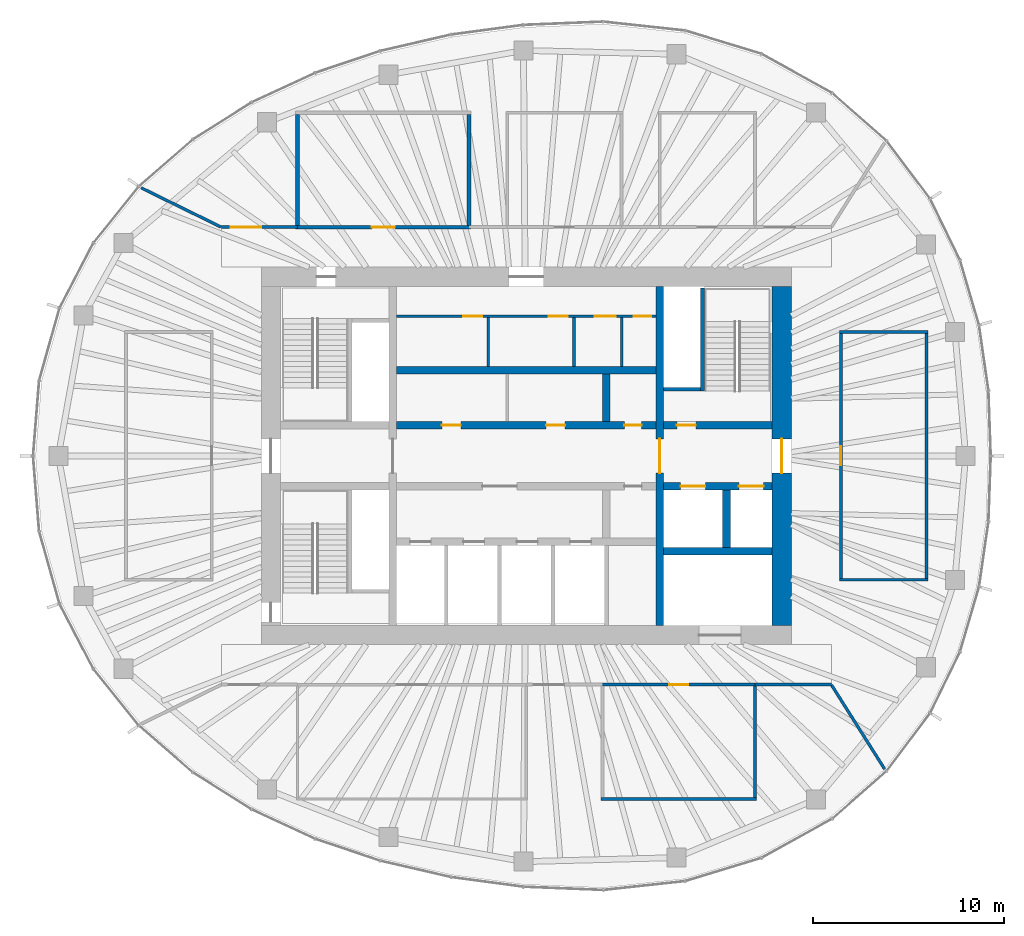
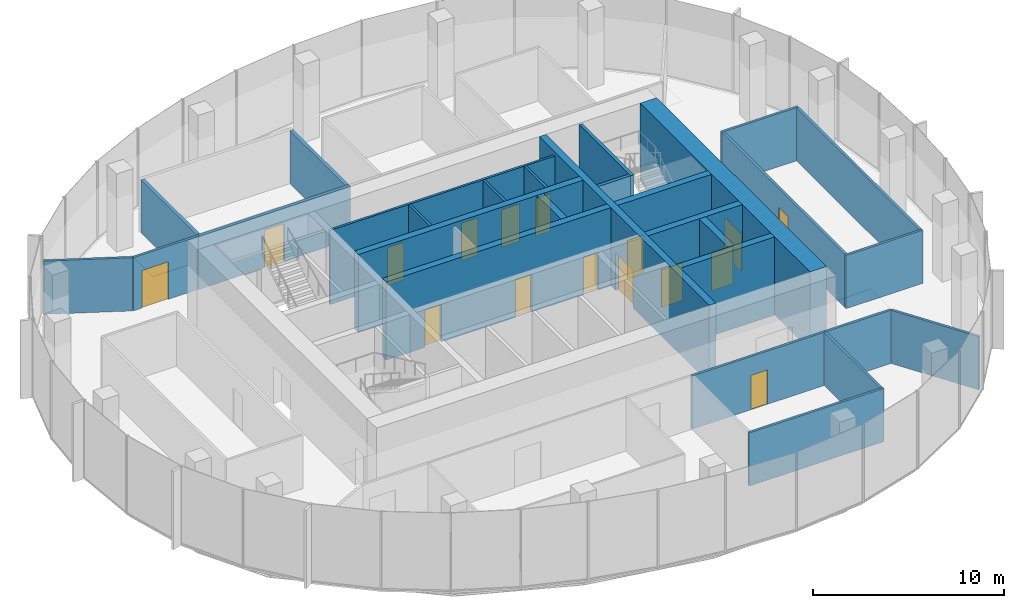
# One storey, part 9 of 11: 29 walls, 16 doors, 16 openings.
"""IFC4 building model written with IfcOpenShell, lengths in metres."""

from ifc_helpers import new_model, si_unit, direction, frame, frame_2d, origin, place, context, subcontext, project, spatial, rectangle, extrude, material, layer, layer_set, type_object, element, fill, save


model = new_model("IFC4")

# Units and contexts
model_context = context("Model", 3, precision=1e-05, world=origin(), true_north=direction((0.0, 1.0)))
body_context = subcontext(model_context, "Body", "Model", "MODEL_VIEW")
ifc_project = project(units=[si_unit("LENGTHUNIT", "METRE"), si_unit("AREAUNIT", "SQUARE_METRE"), si_unit("VOLUMEUNIT", "CUBIC_METRE"), si_unit("PLANEANGLEUNIT", "RADIAN"), si_unit("MASSUNIT", "GRAM", prefix="KILO")], contexts=[model_context])

# Site, building, storey
site_placement = place(None, origin())
site = spatial("IfcSite", under=ifc_project, at=site_placement, CompositionType="ELEMENT")
building_placement = place(site_placement, origin())
building = spatial("IfcBuilding", under=site, at=building_placement, Name="Ghaith Harvest Tower", CompositionType="ELEMENT")
storey_placement = place(building_placement, frame((0.0, 0.0, 334.199951171875)))
storey = spatial("IfcBuildingStorey", under=building, at=storey_placement, Name="L75", CompositionType="ELEMENT", Elevation=334.199951171875)

# Wall, opening, door
ifc_material_1 = material(Name="Twin-stud gypsum board, acoustic", Category="gypsum")
ifc_layer_1 = layer(ifc_material_1, 0.199951171875)
ifc_layer_set_1 = layer_set([ifc_layer_1], Name="ACOUSTIC PARTITION 200")
wall_type_1 = type_object("IfcWallType", Name="ACOUSTIC PARTITION 200", PredefinedType="PARTITIONING", material=ifc_layer_set_1)
wall_1_placement = place(storey_placement, frame((-12.10009765625, 12.0, 0.0), z_axis=(0.0, 0.0, 1.0), x_axis=(1.0, 0.0, 0.0)))
wall_1 = element("IfcWall", 1, at=wall_1_placement, inside=storey, type_object=wall_type_1, Name="Partition L75-01", PredefinedType="PARTITIONING", context=body_context, shape_type="SweptSolid", body=[
    extrude(rectangle(XDim=9.2001953125, YDim=0.199951171875, at=frame_2d((4.60009765625, 0.0))), origin(), (0.0, 0.0, 1.0), 3.400146484375),
])
opening_1_placement = place(wall_1_placement, frame((4.0, 0.0, 0.0)))
opening_1 = element("IfcOpeningElement", 2, at=opening_1_placement, cuts=wall_1, Name="Opening 75-025", PredefinedType="OPENING", context=body_context, shape_type="SweptSolid", body=[
    extrude(rectangle(XDim=1.199951171875, YDim=2.39990234375, at=frame_2d((0.60009765625, 1.199951171875))), frame((0.0, 0.10986328125, 0.0), z_axis=(0.0, -1.0, 0.0), x_axis=(1.0, 0.0, 0.0)), (0.0, 0.0, 1.0), 0.219970703125),
])
ifc_material_2 = material(Name="Timber door", Category="wood")
door_type_1 = type_object("IfcDoorType", Name="D11 GLAZED 1200x2400", OperationType="SINGLE_SWING_LEFT", PredefinedType="DOOR", material=ifc_material_2)
door_1_placement = place(opening_1_placement, origin())
door_1 = element("IfcDoor", 3, at=door_1_placement, inside=storey, type_object=door_type_1, Name="Private dining room door", OperationType="SINGLE_SWING_LEFT", OverallHeight=2.39990234375, OverallWidth=1.199951171875, PredefinedType="DOOR", context=body_context, shape_type="SweptSolid", body=[
    extrude(rectangle(XDim=1.199951171875, YDim=2.39990234375, at=frame_2d((0.60009765625, 1.199951171875))), frame((0.0, 0.02490234375, 0.0), z_axis=(0.0, -1.0, 0.0), x_axis=(1.0, 0.0, 0.0)), (0.0, 0.0, 1.0), 0.050048828125),
])
fill(opening_1, door_1)

# Walls
for number, where, z_axis, x_axis, name in (
    (4, (-12.0, 12.10009765625, 0.0), (0.0, 0.0, 1.0), (0.0, 1.0, 0.0), "Partition L75-01"),
    (5, (-3.0, 12.10009765625, 0.0), (0.0, 0.0, 1.0), (0.0, 1.0, 0.0), "Partition L75-01"),
):
    element("IfcWall", number, at=place(storey_placement, frame(where, z_axis=z_axis, x_axis=x_axis)), inside=storey, type_object=wall_type_1, Name=name, PredefinedType="PARTITIONING", context=body_context, shape_type="SweptSolid", body=[
        extrude(rectangle(XDim=5.7998046875, YDim=0.199951171875, at=frame_2d((2.89990234375, 0.0))), origin(), (0.0, 0.0, 1.0), 3.400146484375),
    ])

# Wall, openings, doors
ifc_material_3 = material(Name="Concrete blockwork, fair-faced", Category="masonry")
ifc_layer_2 = layer(ifc_material_3, 0.139892578125)
ifc_layer_set_2 = layer_set([ifc_layer_2], Name="CORE PARTITION 140")
wall_type_2 = type_object("IfcWallType", Name="CORE PARTITION 140", PredefinedType="PARTITIONING", material=ifc_layer_set_2)
wall_2_placement = place(storey_placement, frame((-6.800048828125, 7.330078125, 0.0), z_axis=(0.0, 0.0, 1.0), x_axis=(1.0, 0.0, 0.0)))
wall_2 = element("IfcWall", 6, at=wall_2_placement, inside=storey, type_object=wall_type_2, Name="Core partition L75", PredefinedType="PARTITIONING", context=body_context, shape_type="SweptSolid", body=[
    extrude(rectangle(XDim=13.60009765625, YDim=0.139892578125, at=frame_2d((6.800048828125, 0.0))), origin(), (0.0, 0.0, 1.0), 4.75),
])
opening_2_placement = place(wall_2_placement, frame((3.47998046875, 0.0, 0.0)))
opening_2 = element("IfcOpeningElement", 7, at=opening_2_placement, cuts=wall_2, Name="Opening 75-008", PredefinedType="OPENING", context=body_context, shape_type="SweptSolid", body=[
    extrude(rectangle(XDim=1.0, YDim=2.39990234375, at=frame_2d((0.5, 1.199951171875))), frame((0.0, 0.080078125, 0.0), z_axis=(0.0, -1.0, 0.0), x_axis=(1.0, 0.0, 0.0)), (0.0, 0.0, 1.0), 0.159912109375),
])
opening_3_placement = place(wall_2_placement, frame((7.97998046875, 0.0, 0.0)))
opening_3 = element("IfcOpeningElement", 8, at=opening_3_placement, cuts=wall_2, Name="Opening 75-009", PredefinedType="OPENING", context=body_context, shape_type="SweptSolid", body=[
    extrude(rectangle(XDim=1.0, YDim=2.39990234375, at=frame_2d((0.5, 1.199951171875))), frame((0.0, 0.080078125, 0.0), z_axis=(0.0, -1.0, 0.0), x_axis=(1.0, 0.0, 0.0)), (0.0, 0.0, 1.0), 0.159912109375),
])
opening_4_placement = place(wall_2_placement, frame((10.3798828125, 0.0, 0.0)))
opening_4 = element("IfcOpeningElement", 9, at=opening_4_placement, cuts=wall_2, Name="Opening 75-010", PredefinedType="OPENING", context=body_context, shape_type="SweptSolid", body=[
    extrude(rectangle(XDim=1.10009765625, YDim=2.39990234375, at=frame_2d((0.550048828125, 1.199951171875))), frame((0.0, 0.080078125, 0.0), z_axis=(0.0, -1.0, 0.0), x_axis=(1.0, 0.0, 0.0)), (0.0, 0.0, 1.0), 0.159912109375),
])
opening_5_placement = place(wall_2_placement, frame((12.449951171875, 0.0, 0.0)))
opening_5 = element("IfcOpeningElement", 10, at=opening_5_placement, cuts=wall_2, Name="Opening 75-011", PredefinedType="OPENING", context=body_context, shape_type="SweptSolid", body=[
    extrude(rectangle(XDim=0.89990234375, YDim=2.39990234375, at=frame_2d((0.449951171875, 1.199951171875))), frame((0.0, 0.080078125, 0.0), z_axis=(0.0, -1.0, 0.0), x_axis=(1.0, 0.0, 0.0)), (0.0, 0.0, 1.0), 0.159912109375),
])
ifc_material_4 = material(Name="Steel fire door", Category="steel")
door_type_2 = type_object("IfcDoorType", Name="D3 FD90 1000x2400", OperationType="SINGLE_SWING_LEFT", PredefinedType="DOOR", material=ifc_material_4)
door_2_placement = place(opening_2_placement, origin())
door_2 = element("IfcDoor", 11, at=door_2_placement, inside=storey, type_object=door_type_2, Name="Male WC door", OperationType="SINGLE_SWING_LEFT", OverallHeight=2.39990234375, OverallWidth=1.0, PredefinedType="DOOR", context=body_context, shape_type="SweptSolid", body=[
    extrude(rectangle(XDim=1.0, YDim=2.39990234375, at=frame_2d((0.5, 1.199951171875))), frame((0.0, 0.02490234375, 0.0), z_axis=(0.0, -1.0, 0.0), x_axis=(1.0, 0.0, 0.0)), (0.0, 0.0, 1.0), 0.050048828125),
])
fill(opening_2, door_2)
door_3_placement = place(opening_3_placement, origin())
door_3 = element("IfcDoor", 12, at=door_3_placement, inside=storey, type_object=door_type_2, Name="Female WC door", OperationType="SINGLE_SWING_RIGHT", OverallHeight=2.39990234375, OverallWidth=1.0, PredefinedType="DOOR", context=body_context, shape_type="SweptSolid", body=[
    extrude(rectangle(XDim=1.0, YDim=2.39990234375, at=frame_2d((0.5, 1.199951171875))), frame((0.0, 0.02490234375, 0.0), z_axis=(0.0, -1.0, 0.0), x_axis=(1.0, 0.0, 0.0)), (0.0, 0.0, 1.0), 0.050048828125),
])
fill(opening_3, door_3)
ifc_material_5 = material(Name="Steel fire door", Category="steel")
door_type_3 = type_object("IfcDoorType", Name="D5 FD90 900x2400", OperationType="SINGLE_SWING_LEFT", PredefinedType="DOOR", material=ifc_material_5)
door_4_placement = place(opening_5_placement, origin())
door_4 = element("IfcDoor", 13, at=door_4_placement, inside=storey, type_object=door_type_3, Name="Cleaner's store door", OperationType="SINGLE_SWING_RIGHT", OverallHeight=2.39990234375, OverallWidth=0.89990234375, PredefinedType="DOOR", context=body_context, shape_type="SweptSolid", body=[
    extrude(rectangle(XDim=0.89990234375, YDim=2.39990234375, at=frame_2d((0.449951171875, 1.199951171875))), frame((0.0, 0.02490234375, 0.0), z_axis=(0.0, -1.0, 0.0), x_axis=(1.0, 0.0, 0.0)), (0.0, 0.0, 1.0), 0.050048828125),
])
fill(opening_5, door_4)
ifc_material_6 = material(Name="Steel fire door", Category="steel")
door_type_4 = type_object("IfcDoorType", Name="D9 FD90 1100x2400", OperationType="SINGLE_SWING_LEFT", PredefinedType="DOOR", material=ifc_material_6)
door_5_placement = place(opening_4_placement, origin())
door_5 = element("IfcDoor", 14, at=door_5_placement, inside=storey, type_object=door_type_4, Name="Accessible WC door", OperationType="SINGLE_SWING_RIGHT", OverallHeight=2.39990234375, OverallWidth=1.10009765625, PredefinedType="DOOR", context=body_context, shape_type="SweptSolid", body=[
    extrude(rectangle(XDim=1.10009765625, YDim=2.39990234375, at=frame_2d((0.550048828125, 1.199951171875))), frame((0.0, 0.02490234375, 0.0), z_axis=(0.0, -1.0, 0.0), x_axis=(1.0, 0.0, 0.0)), (0.0, 0.0, 1.0), 0.050048828125),
])
fill(opening_4, door_5)

# Walls
for number, where, z_axis, x_axis, name in (
    (15, (-2.0, 4.699951171875, 0.0), (0.0, 0.0, 1.0), (0.0, 1.0, 0.0), "Core partition L75"),
    (16, (2.5, 4.699951171875, 0.0), (0.0, 0.0, 1.0), (0.0, 1.0, 0.0), "Core partition L75"),
    (17, (5.0, 4.699951171875, 0.0), (0.0, 0.0, 1.0), (0.0, 1.0, 0.0), "Core partition L75"),
):
    element("IfcWall", number, at=place(storey_placement, frame(where, z_axis=z_axis, x_axis=x_axis)), inside=storey, type_object=wall_type_2, Name=name, PredefinedType="PARTITIONING", context=body_context, shape_type="SweptSolid", body=[
        extrude(rectangle(XDim=2.56005859375, YDim=0.139892578125, at=frame_2d((1.280029296875, 0.0))), origin(), (0.0, 0.0, 1.0), 4.75),
    ])

# Wall, opening, door
ifc_material_7 = material(Name="Concrete C50/60", Category="concrete")
ifc_layer_3 = layer(ifc_material_7, 1.0)
ifc_layer_set_3 = layer_set([ifc_layer_3], Name="CORE WALL CW1000")
wall_type_3 = type_object("IfcWallType", Name="CORE WALL CW1000", PredefinedType="SHEAR", material=ifc_layer_set_3)
wall_3_placement = place(storey_placement, frame((13.39990234375, -8.89990234375, 0.0), z_axis=(0.0, 0.0, 1.0), x_axis=(0.0, 1.0, 0.0)))
wall_3 = element("IfcWall", 18, at=wall_3_placement, inside=storey, type_object=wall_type_3, Name="Core wall E L75", PredefinedType="SHEAR", context=body_context, shape_type="SweptSolid", body=[
    extrude(rectangle(XDim=17.7998046875, YDim=1.0, at=frame_2d((8.89990234375, 0.0))), origin(), (0.0, 0.0, 1.0), 5.0),
])
opening_6_placement = place(wall_3_placement, frame((8.0, 0.0, 0.0)))
opening_6 = element("IfcOpeningElement", 19, at=opening_6_placement, cuts=wall_3, Name="Opening 75-002", PredefinedType="OPENING", context=body_context, shape_type="SweptSolid", body=[
    extrude(rectangle(XDim=1.800048828125, YDim=2.39990234375, at=frame_2d((0.89990234375, 1.199951171875))), frame((0.0, 0.510009765625, 0.0), z_axis=(0.0, -1.0, 0.0), x_axis=(1.0, 0.0, 0.0)), (0.0, 0.0, 1.0), 1.02001953125),
])
ifc_material_8 = material(Name="Steel fire door", Category="steel")
door_type_5 = type_object("IfcDoorType", Name="D4 FD90 PAIR 1800x2400", OperationType="DOUBLE_DOOR_SINGLE_SWING", PredefinedType="DOOR", material=ifc_material_8)
door_6_placement = place(opening_6_placement, origin())
door_6 = element("IfcDoor", 20, at=door_6_placement, inside=storey, type_object=door_type_5, Name="Fire-fighting lobby doors", OperationType="DOUBLE_DOOR_SINGLE_SWING", OverallHeight=2.39990234375, OverallWidth=1.800048828125, PredefinedType="DOOR", context=body_context, shape_type="SweptSolid", body=[
    extrude(rectangle(XDim=1.800048828125, YDim=2.39990234375, at=frame_2d((0.89990234375, 1.199951171875))), frame((0.0, 0.02490234375, 0.0), z_axis=(0.0, -1.0, 0.0), x_axis=(1.0, 0.0, 0.0)), (0.0, 0.0, 1.0), 0.050048828125),
])
fill(opening_6, door_6)

# Walls
ifc_material_9 = material(Name="Gypsum board on steel studs", Category="steel")
ifc_layer_4 = layer(ifc_material_9, 0.14990234375)
ifc_layer_set_4 = layer_set([ifc_layer_4], Name="PARTITION 150")
wall_type_4 = type_object("IfcWallType", Name="PARTITION 150", PredefinedType="PARTITIONING", material=ifc_layer_set_4)
wall_4_placement = place(storey_placement, frame((-16.017822265625, 12.0087890625, 0.0), z_axis=(0.0, 0.0, 1.0), x_axis=(-0.897771840996, 0.440460805879, 0.0)))
element("IfcWall", 21, at=wall_4_placement, inside=storey, type_object=wall_type_4, Name="Partition L75 zone division", PredefinedType="PARTITIONING", context=body_context, shape_type="SweptSolid", body=[
    extrude(rectangle(XDim=4.66552734375, YDim=0.14990234375, at=frame_2d((2.332763671875, 0.0))), origin(), (0.0, 0.0, 1.0), 3.400146484375),
])
wall_5_placement = place(storey_placement, frame((16.0107421875, -12.016845703125, 0.0), z_axis=(0.0, 0.0, 1.0), x_axis=(0.53415837449, -0.845384427916, 0.0)))
element("IfcWall", 22, at=wall_5_placement, inside=storey, type_object=wall_type_4, Name="Partition L75 zone division", PredefinedType="PARTITIONING", context=body_context, shape_type="SweptSolid", body=[
    extrude(rectangle(XDim=5.220458984375, YDim=0.14990234375, at=frame_2d((2.6103515625, 0.0))), origin(), (0.0, 0.0, 1.0), 3.400146484375),
])

# Wall, opening, door
wall_6_placement = place(storey_placement, frame((-12.0, 12.0, 0.0), z_axis=(0.0, 0.0, 1.0), x_axis=(-1.0, 0.0, 0.0)))
wall_6 = element("IfcWall", 23, at=wall_6_placement, inside=storey, type_object=wall_type_4, Name="Partition L75 zone enclosure", PredefinedType="PARTITIONING", context=body_context, shape_type="SweptSolid", body=[
    extrude(rectangle(XDim=4.0, YDim=0.14990234375, at=frame_2d((2.0, 0.0))), origin(), (0.0, 0.0, 1.0), 3.400146484375),
])
opening_7_placement = place(wall_6_placement, frame((1.89990234375, 0.0, 0.0)))
opening_7 = element("IfcOpeningElement", 24, at=opening_7_placement, cuts=wall_6, Name="Opening 75-033", PredefinedType="OPENING", context=body_context, shape_type="SweptSolid", body=[
    extrude(rectangle(XDim=1.60009765625, YDim=2.39990234375, at=frame_2d((0.800048828125, 1.199951171875))), frame((0.0, 0.0849609375, 0.0), z_axis=(0.0, -1.0, 0.0), x_axis=(1.0, 0.0, 0.0)), (0.0, 0.0, 1.0), 0.169921875),
])
ifc_material_10 = material(Name="Timber door", Category="wood")
door_type_6 = type_object("IfcDoorType", Name="D2 PAIR 1600x2400", OperationType="DOUBLE_DOOR_SINGLE_SWING", PredefinedType="DOOR", material=ifc_material_10)
door_7_placement = place(opening_7_placement, origin())
door_7 = element("IfcDoor", 25, at=door_7_placement, inside=storey, type_object=door_type_6, Name="Farm-to-table restaurant north door", OperationType="DOUBLE_DOOR_SINGLE_SWING", OverallHeight=2.39990234375, OverallWidth=1.60009765625, PredefinedType="DOOR", context=body_context, shape_type="SweptSolid", body=[
    extrude(rectangle(XDim=1.60009765625, YDim=2.39990234375, at=frame_2d((0.800048828125, 1.199951171875))), frame((0.0, 0.02490234375, 0.0), z_axis=(0.0, -1.0, 0.0), x_axis=(1.0, 0.0, 0.0)), (0.0, 0.0, 1.0), 0.050048828125),
])
fill(opening_7, door_7)

# Walls
wall_7_placement = place(storey_placement, frame((12.0, -12.0, 0.0), z_axis=(0.0, 0.0, 1.0), x_axis=(1.0, 0.0, 0.0)))
element("IfcWall", 26, at=wall_7_placement, inside=storey, type_object=wall_type_4, Name="Partition L75 zone enclosure", PredefinedType="PARTITIONING", context=body_context, shape_type="SweptSolid", body=[
    extrude(rectangle(XDim=4.0, YDim=0.14990234375, at=frame_2d((2.0, 0.0))), origin(), (0.0, 0.0, 1.0), 3.400146484375),
])
wall_8_placement = place(storey_placement, frame((3.925048828125, -18.0, 0.0), z_axis=(0.0, 0.0, 1.0), x_axis=(1.0, 0.0, 0.0)))
element("IfcWall", 27, at=wall_8_placement, inside=storey, type_object=wall_type_4, Name="Partition L75-05", PredefinedType="PARTITIONING", context=body_context, shape_type="SweptSolid", body=[
    extrude(rectangle(XDim=8.14990234375, YDim=0.14990234375, at=frame_2d((4.074951171875, 0.0))), origin(), (0.0, 0.0, 1.0), 3.400146484375),
])

# Wall, opening, door
wall_9_placement = place(storey_placement, frame((3.925048828125, -12.0, 0.0), z_axis=(0.0, 0.0, 1.0), x_axis=(1.0, 0.0, 0.0)))
wall_9 = element("IfcWall", 28, at=wall_9_placement, inside=storey, type_object=wall_type_4, Name="Partition L75-05", PredefinedType="PARTITIONING", context=body_context, shape_type="SweptSolid", body=[
    extrude(rectangle(XDim=8.14990234375, YDim=0.14990234375, at=frame_2d((4.074951171875, 0.0))), origin(), (0.0, 0.0, 1.0), 3.400146484375),
])
opening_8_placement = place(wall_9_placement, frame((3.574951171875, 0.0, 0.0)))
opening_8 = element("IfcOpeningElement", 29, at=opening_8_placement, cuts=wall_9, Name="Opening 75-029", PredefinedType="OPENING", context=body_context, shape_type="SweptSolid", body=[
    extrude(rectangle(XDim=1.0, YDim=2.199951171875, at=frame_2d((0.5, 1.10009765625))), frame((0.0, 0.0849609375, 0.0), z_axis=(0.0, -1.0, 0.0), x_axis=(1.0, 0.0, 0.0)), (0.0, 0.0, 1.0), 0.169921875),
])
ifc_material_11 = material(Name="Timber door", Category="wood")
door_type_7 = type_object("IfcDoorType", Name="D1 SINGLE 1000x2200", OperationType="SINGLE_SWING_LEFT", PredefinedType="DOOR", material=ifc_material_11)
door_8_placement = place(opening_8_placement, origin())
door_8 = element("IfcDoor", 30, at=door_8_placement, inside=storey, type_object=door_type_7, Name="Dry store door", OperationType="SINGLE_SWING_LEFT", OverallHeight=2.199951171875, OverallWidth=1.0, PredefinedType="DOOR", context=body_context, shape_type="SweptSolid", body=[
    extrude(rectangle(XDim=1.0, YDim=2.199951171875, at=frame_2d((0.5, 1.10009765625))), frame((0.0, 0.02490234375, 0.0), z_axis=(0.0, -1.0, 0.0), x_axis=(1.0, 0.0, 0.0)), (0.0, 0.0, 1.0), 0.050048828125),
])
fill(opening_8, door_8)

# Walls
wall_10_placement = place(storey_placement, frame((12.0, -17.925048828125, 0.0), z_axis=(0.0, 0.0, 1.0), x_axis=(0.0, 1.0, 0.0)))
element("IfcWall", 31, at=wall_10_placement, inside=storey, type_object=wall_type_4, Name="Partition L75-05", PredefinedType="PARTITIONING", context=body_context, shape_type="SweptSolid", body=[
    extrude(rectangle(XDim=5.85009765625, YDim=0.14990234375, at=frame_2d((2.925048828125, 0.0))), origin(), (0.0, 0.0, 1.0), 3.400146484375),
])
for number, where, z_axis, x_axis, name in (
    (32, (16.425048828125, -6.5, 0.0), (0.0, 0.0, 1.0), (1.0, 0.0, 0.0), "Partition L75-07"),
    (33, (16.425048828125, 6.5, 0.0), (0.0, 0.0, 1.0), (1.0, 0.0, 0.0), "Partition L75-07"),
):
    element("IfcWall", number, at=place(storey_placement, frame(where, z_axis=z_axis, x_axis=x_axis)), inside=storey, type_object=wall_type_4, Name=name, PredefinedType="PARTITIONING", context=body_context, shape_type="SweptSolid", body=[
        extrude(rectangle(XDim=4.64990234375, YDim=0.14990234375, at=frame_2d((2.324951171875, 0.0))), origin(), (0.0, 0.0, 1.0), 3.400146484375),
    ])

# Wall, opening, door
wall_11_placement = place(storey_placement, frame((16.5, -6.425048828125, 0.0), z_axis=(0.0, 0.0, 1.0), x_axis=(0.0, 1.0, 0.0)))
wall_11 = element("IfcWall", 34, at=wall_11_placement, inside=storey, type_object=wall_type_4, Name="Partition L75-07", PredefinedType="PARTITIONING", context=body_context, shape_type="SweptSolid", body=[
    extrude(rectangle(XDim=12.85009765625, YDim=0.14990234375, at=frame_2d((6.425048828125, 0.0))), origin(), (0.0, 0.0, 1.0), 3.400146484375),
])
opening_9_placement = place(wall_11_placement, frame((5.925048828125, 0.0, 0.0)))
opening_9 = element("IfcOpeningElement", 35, at=opening_9_placement, cuts=wall_11, Name="Opening 75-031", PredefinedType="OPENING", context=body_context, shape_type="SweptSolid", body=[
    extrude(rectangle(XDim=1.0, YDim=2.199951171875, at=frame_2d((0.5, 1.10009765625))), frame((0.0, 0.0849609375, 0.0), z_axis=(0.0, -1.0, 0.0), x_axis=(1.0, 0.0, 0.0)), (0.0, 0.0, 1.0), 0.169921875),
])
door_9_placement = place(opening_9_placement, origin())
door_9 = element("IfcDoor", 36, at=door_9_placement, inside=storey, type_object=door_type_7, Name="Kitchen store door", OperationType="SINGLE_SWING_LEFT", OverallHeight=2.199951171875, OverallWidth=1.0, PredefinedType="DOOR", context=body_context, shape_type="SweptSolid", body=[
    extrude(rectangle(XDim=1.0, YDim=2.199951171875, at=frame_2d((0.5, 1.10009765625))), frame((0.0, 0.02490234375, 0.0), z_axis=(0.0, -1.0, 0.0), x_axis=(1.0, 0.0, 0.0)), (0.0, 0.0, 1.0), 0.050048828125),
])
fill(opening_9, door_9)

# Wall
wall_12_placement = place(storey_placement, frame((21.0, -6.425048828125, 0.0), z_axis=(0.0, 0.0, 1.0), x_axis=(0.0, 1.0, 0.0)))
element("IfcWall", 37, at=wall_12_placement, inside=storey, type_object=wall_type_4, Name="Partition L75-07", PredefinedType="PARTITIONING", context=body_context, shape_type="SweptSolid", body=[
    extrude(rectangle(XDim=12.85009765625, YDim=0.14990234375, at=frame_2d((6.425048828125, 0.0))), origin(), (0.0, 0.0, 1.0), 3.400146484375),
])

# Wall, opening, door
ifc_material_12 = material(Name="Concrete C70/85", Category="concrete")
ifc_layer_5 = layer(ifc_material_12, 0.39990234375)
ifc_layer_set_5 = layer_set([ifc_layer_5], Name="SHAFT WALL 400")
wall_type_5 = type_object("IfcWallType", Name="SHAFT WALL 400", PredefinedType="SHEAR", material=ifc_layer_set_5)
wall_13_placement = place(storey_placement, frame((7.0, -8.89990234375, 0.0), z_axis=(0.0, 0.0, 1.0), x_axis=(0.0, 1.0, 0.0)))
wall_13 = element("IfcWall", 38, at=wall_13_placement, inside=storey, type_object=wall_type_5, Name="Shaft wall W7E L75", PredefinedType="SHEAR", context=body_context, shape_type="SweptSolid", body=[
    extrude(rectangle(XDim=17.7998046875, YDim=0.39990234375, at=frame_2d((8.89990234375, 0.0))), origin(), (0.0, 0.0, 1.0), 5.0),
])
opening_10_placement = place(wall_13_placement, frame((8.0, 0.0, 0.0)))
opening_10 = element("IfcOpeningElement", 39, at=opening_10_placement, cuts=wall_13, Name="Opening 75-004", PredefinedType="OPENING", context=body_context, shape_type="SweptSolid", body=[
    extrude(rectangle(XDim=1.800048828125, YDim=2.39990234375, at=frame_2d((0.89990234375, 1.199951171875))), frame((0.0, 0.2099609375, 0.0), z_axis=(0.0, -1.0, 0.0), x_axis=(1.0, 0.0, 0.0)), (0.0, 0.0, 1.0), 0.419921875),
])
door_10_placement = place(opening_10_placement, origin())
door_10 = element("IfcDoor", 40, at=door_10_placement, inside=storey, type_object=door_type_5, Name="Lift lobby doors, east", OperationType="DOUBLE_DOOR_SINGLE_SWING", OverallHeight=2.39990234375, OverallWidth=1.800048828125, PredefinedType="DOOR", context=body_context, shape_type="SweptSolid", body=[
    extrude(rectangle(XDim=1.800048828125, YDim=2.39990234375, at=frame_2d((0.89990234375, 1.199951171875))), frame((0.0, 0.02490234375, 0.0), z_axis=(0.0, -1.0, 0.0), x_axis=(1.0, 0.0, 0.0)), (0.0, 0.0, 1.0), 0.050048828125),
])
fill(opening_10, door_10)

# Wall, openings, doors
wall_14_placement = place(storey_placement, frame((-6.800048828125, 1.60009765625, 0.0), z_axis=(0.0, 0.0, 1.0), x_axis=(1.0, 0.0, 0.0)))
wall_14 = element("IfcWall", 41, at=wall_14_placement, inside=storey, type_object=wall_type_5, Name="Shaft wall LN L75", PredefinedType="SHEAR", context=body_context, shape_type="SweptSolid", body=[
    extrude(rectangle(XDim=13.60009765625, YDim=0.39990234375, at=frame_2d((6.800048828125, 0.0))), origin(), (0.0, 0.0, 1.0), 5.0),
])
opening_11_placement = place(wall_14_placement, frame((2.364990234375, 0.0, 0.0)))
opening_11 = element("IfcOpeningElement", 42, at=opening_11_placement, cuts=wall_14, Name="Opening 75-012", PredefinedType="OPENING", context=body_context, shape_type="SweptSolid", body=[
    extrude(rectangle(XDim=1.0, YDim=2.39990234375, at=frame_2d((0.5, 1.199951171875))), frame((0.0, 0.2099609375, 0.0), z_axis=(0.0, -1.0, 0.0), x_axis=(1.0, 0.0, 0.0)), (0.0, 0.0, 1.0), 0.419921875),
])
opening_12_placement = place(wall_14_placement, frame((7.8349609375, 0.0, 0.0)))
opening_12 = element("IfcOpeningElement", 43, at=opening_12_placement, cuts=wall_14, Name="Opening 75-013", PredefinedType="OPENING", context=body_context, shape_type="SweptSolid", body=[
    extrude(rectangle(XDim=1.0, YDim=2.39990234375, at=frame_2d((0.5, 1.199951171875))), frame((0.0, 0.2099609375, 0.0), z_axis=(0.0, -1.0, 0.0), x_axis=(1.0, 0.0, 0.0)), (0.0, 0.0, 1.0), 0.419921875),
])
opening_13_placement = place(wall_14_placement, frame((11.949951171875, 0.0, 0.0)))
opening_13 = element("IfcOpeningElement", 44, at=opening_13_placement, cuts=wall_14, Name="Opening 75-014", PredefinedType="OPENING", context=body_context, shape_type="SweptSolid", body=[
    extrude(rectangle(XDim=0.89990234375, YDim=2.39990234375, at=frame_2d((0.449951171875, 1.199951171875))), frame((0.0, 0.2099609375, 0.0), z_axis=(0.0, -1.0, 0.0), x_axis=(1.0, 0.0, 0.0)), (0.0, 0.0, 1.0), 0.419921875),
])
door_11_placement = place(opening_11_placement, origin())
door_11 = element("IfcDoor", 45, at=door_11_placement, inside=storey, type_object=door_type_2, Name="Electrical room door", OperationType="SINGLE_SWING_LEFT", OverallHeight=2.39990234375, OverallWidth=1.0, PredefinedType="DOOR", context=body_context, shape_type="SweptSolid", body=[
    extrude(rectangle(XDim=1.0, YDim=2.39990234375, at=frame_2d((0.5, 1.199951171875))), frame((0.0, 0.02490234375, 0.0), z_axis=(0.0, -1.0, 0.0), x_axis=(1.0, 0.0, 0.0)), (0.0, 0.0, 1.0), 0.050048828125),
])
fill(opening_11, door_11)
door_12_placement = place(opening_12_placement, origin())
door_12 = element("IfcDoor", 46, at=door_12_placement, inside=storey, type_object=door_type_2, Name="Communications equipment room door", OperationType="SINGLE_SWING_RIGHT", OverallHeight=2.39990234375, OverallWidth=1.0, PredefinedType="DOOR", context=body_context, shape_type="SweptSolid", body=[
    extrude(rectangle(XDim=1.0, YDim=2.39990234375, at=frame_2d((0.5, 1.199951171875))), frame((0.0, 0.02490234375, 0.0), z_axis=(0.0, -1.0, 0.0), x_axis=(1.0, 0.0, 0.0)), (0.0, 0.0, 1.0), 0.050048828125),
])
fill(opening_12, door_12)
door_13_placement = place(opening_13_placement, origin())
door_13 = element("IfcDoor", 47, at=door_13_placement, inside=storey, type_object=door_type_3, Name="Lobby store door", OperationType="SINGLE_SWING_RIGHT", OverallHeight=2.39990234375, OverallWidth=0.89990234375, PredefinedType="DOOR", context=body_context, shape_type="SweptSolid", body=[
    extrude(rectangle(XDim=0.89990234375, YDim=2.39990234375, at=frame_2d((0.449951171875, 1.199951171875))), frame((0.0, 0.02490234375, 0.0), z_axis=(0.0, -1.0, 0.0), x_axis=(1.0, 0.0, 0.0)), (0.0, 0.0, 1.0), 0.050048828125),
])
fill(opening_13, door_13)

# Wall
wall_15_placement = place(storey_placement, frame((-6.800048828125, 4.5, 0.0), z_axis=(0.0, 0.0, 1.0), x_axis=(1.0, 0.0, 0.0)))
element("IfcWall", 48, at=wall_15_placement, inside=storey, type_object=wall_type_5, Name="Shaft wall BN L75", PredefinedType="SHEAR", context=body_context, shape_type="SweptSolid", body=[
    extrude(rectangle(XDim=13.60009765625, YDim=0.39990234375, at=frame_2d((6.800048828125, 0.0))), origin(), (0.0, 0.0, 1.0), 5.0),
])

# Wall, opening, door
wall_16_placement = place(storey_placement, frame((7.199951171875, 1.60009765625, 0.0), z_axis=(0.0, 0.0, 1.0), x_axis=(1.0, 0.0, 0.0)))
wall_16 = element("IfcWall", 49, at=wall_16_placement, inside=storey, type_object=wall_type_5, Name="Shaft wall EN L75", PredefinedType="SHEAR", context=body_context, shape_type="SweptSolid", body=[
    extrude(rectangle(XDim=5.699951171875, YDim=0.39990234375, at=frame_2d((2.85009765625, 0.0))), origin(), (0.0, 0.0, 1.0), 5.0),
])
opening_14_placement = place(wall_16_placement, frame((0.699951171875, 0.0, 0.0)))
opening_14 = element("IfcOpeningElement", 50, at=opening_14_placement, cuts=wall_16, Name="Opening 75-007", PredefinedType="OPENING", context=body_context, shape_type="SweptSolid", body=[
    extrude(rectangle(XDim=1.0, YDim=2.39990234375, at=frame_2d((0.5, 1.199951171875))), frame((0.0, 0.2099609375, 0.0), z_axis=(0.0, -1.0, 0.0), x_axis=(1.0, 0.0, 0.0)), (0.0, 0.0, 1.0), 0.419921875),
])
door_14_placement = place(opening_14_placement, origin())
door_14 = element("IfcDoor", 51, at=door_14_placement, inside=storey, type_object=door_type_2, Name="Stair ST2 door", OperationType="SINGLE_SWING_LEFT", OverallHeight=2.39990234375, OverallWidth=1.0, PredefinedType="DOOR", context=body_context, shape_type="SweptSolid", body=[
    extrude(rectangle(XDim=1.0, YDim=2.39990234375, at=frame_2d((0.5, 1.199951171875))), frame((0.0, 0.02490234375, 0.0), z_axis=(0.0, -1.0, 0.0), x_axis=(1.0, 0.0, 0.0)), (0.0, 0.0, 1.0), 0.050048828125),
])
fill(opening_14, door_14)

# Wall, openings, doors
wall_17_placement = place(storey_placement, frame((7.199951171875, -1.60009765625, 0.0), z_axis=(0.0, 0.0, 1.0), x_axis=(1.0, 0.0, 0.0)))
wall_17 = element("IfcWall", 52, at=wall_17_placement, inside=storey, type_object=wall_type_5, Name="Shaft wall ES L75", PredefinedType="SHEAR", context=body_context, shape_type="SweptSolid", body=[
    extrude(rectangle(XDim=5.699951171875, YDim=0.39990234375, at=frame_2d((2.85009765625, 0.0))), origin(), (0.0, 0.0, 1.0), 5.0),
])
opening_15_placement = place(wall_17_placement, frame((0.89990234375, 0.0, 0.0)))
opening_15 = element("IfcOpeningElement", 53, at=opening_15_placement, cuts=wall_17, Name="Opening 75-022", PredefinedType="OPENING", context=body_context, shape_type="SweptSolid", body=[
    extrude(rectangle(XDim=1.300048828125, YDim=2.39990234375, at=frame_2d((0.64990234375, 1.199951171875))), frame((0.0, 0.2099609375, 0.0), z_axis=(0.0, -1.0, 0.0), x_axis=(1.0, 0.0, 0.0)), (0.0, 0.0, 1.0), 0.419921875),
])
opening_16_placement = place(wall_17_placement, frame((3.949951171875, 0.0, 0.0)))
opening_16 = element("IfcOpeningElement", 54, at=opening_16_placement, cuts=wall_17, Name="Opening 75-023", PredefinedType="OPENING", context=body_context, shape_type="SweptSolid", body=[
    extrude(rectangle(XDim=1.300048828125, YDim=2.39990234375, at=frame_2d((0.64990234375, 1.199951171875))), frame((0.0, 0.2099609375, 0.0), z_axis=(0.0, -1.0, 0.0), x_axis=(1.0, 0.0, 0.0)), (0.0, 0.0, 1.0), 0.419921875),
])
ifc_material_13 = material(Name="Steel fire door", Category="steel")
door_type_8 = type_object("IfcDoorType", Name="LD2 LANDING 1300x2400", OperationType="DOUBLE_DOOR_SLIDING", PredefinedType="DOOR", material=ifc_material_13)
door_15_placement = place(opening_15_placement, origin())
door_15 = element("IfcDoor", 55, at=door_15_placement, inside=storey, type_object=door_type_8, Name="Landing door, fire service lift FL1", OperationType="DOUBLE_DOOR_SLIDING", OverallHeight=2.39990234375, OverallWidth=1.300048828125, PredefinedType="DOOR", context=body_context, shape_type="SweptSolid", body=[
    extrude(rectangle(XDim=1.300048828125, YDim=2.39990234375, at=frame_2d((0.64990234375, 1.199951171875))), frame((0.0, 0.02490234375, 0.0), z_axis=(0.0, -1.0, 0.0), x_axis=(1.0, 0.0, 0.0)), (0.0, 0.0, 1.0), 0.050048828125),
])
fill(opening_15, door_15)
door_16_placement = place(opening_16_placement, origin())
door_16 = element("IfcDoor", 56, at=door_16_placement, inside=storey, type_object=door_type_8, Name="Landing door, fire service lift FL2", OperationType="DOUBLE_DOOR_SLIDING", OverallHeight=2.39990234375, OverallWidth=1.300048828125, PredefinedType="DOOR", context=body_context, shape_type="SweptSolid", body=[
    extrude(rectangle(XDim=1.300048828125, YDim=2.39990234375, at=frame_2d((0.64990234375, 1.199951171875))), frame((0.0, 0.02490234375, 0.0), z_axis=(0.0, -1.0, 0.0), x_axis=(1.0, 0.0, 0.0)), (0.0, 0.0, 1.0), 0.050048828125),
])
fill(opening_16, door_16)

# Walls
wall_18_placement = place(storey_placement, frame((10.5, -4.800048828125, 0.0), z_axis=(0.0, 0.0, 1.0), x_axis=(0.0, 1.0, 0.0)))
element("IfcWall", 57, at=wall_18_placement, inside=storey, type_object=wall_type_5, Name="Shaft wall FLD L75", PredefinedType="SHEAR", context=body_context, shape_type="SweptSolid", body=[
    extrude(rectangle(XDim=3.0, YDim=0.39990234375, at=frame_2d((1.5, 0.0))), origin(), (0.0, 0.0, 1.0), 5.0),
])
wall_19_placement = place(storey_placement, frame((7.199951171875, -5.0, 0.0), z_axis=(0.0, 0.0, 1.0), x_axis=(1.0, 0.0, 0.0)))
element("IfcWall", 58, at=wall_19_placement, inside=storey, type_object=wall_type_5, Name="Shaft wall FLB L75", PredefinedType="SHEAR", context=body_context, shape_type="SweptSolid", body=[
    extrude(rectangle(XDim=5.699951171875, YDim=0.39990234375, at=frame_2d((2.85009765625, 0.0))), origin(), (0.0, 0.0, 1.0), 5.0),
])
wall_20_placement = place(storey_placement, frame((4.199951171875, 1.800048828125, 0.0), z_axis=(0.0, 0.0, 1.0), x_axis=(0.0, 1.0, 0.0)))
element("IfcWall", 59, at=wall_20_placement, inside=storey, type_object=wall_type_5, Name="Shaft wall DN4 L75", PredefinedType="SHEAR", context=body_context, shape_type="SweptSolid", body=[
    extrude(rectangle(XDim=2.5, YDim=0.39990234375, at=frame_2d((1.25, 0.0))), origin(), (0.0, 0.0, 1.0), 5.0),
])
ifc_material_14 = material(Name="Concrete C40/50", Category="concrete")
ifc_layer_6 = layer(ifc_material_14, 0.199951171875)
ifc_layer_set_6 = layer_set([ifc_layer_6], Name="STAIR SPINE WALL RC200")
wall_type_6 = type_object("IfcWallType", Name="STAIR SPINE WALL RC200", PredefinedType="SOLIDWALL", material=ifc_layer_set_6)
wall_21_placement = place(storey_placement, frame((9.25, 3.39990234375, 0.0), z_axis=(0.0, 0.0, 1.0), x_axis=(0.0, 1.0, 0.0)))
element("IfcWall", 60, at=wall_21_placement, inside=storey, type_object=wall_type_6, Name="Stair ST2 spine wall L75", PredefinedType="SOLIDWALL", context=body_context, shape_type="SweptSolid", body=[
    extrude(rectangle(XDim=5.400146484375, YDim=0.199951171875, at=frame_2d((2.7001953125, 0.0))), origin(), (0.0, 0.0, 1.0), 5.0),
])
wall_22_placement = place(storey_placement, frame((9.14990234375, 3.5, 0.0), z_axis=(0.0, 0.0, 1.0), x_axis=(-1.0, 0.0, 0.0)))
element("IfcWall", 61, at=wall_22_placement, inside=storey, type_object=wall_type_6, Name="Stair ST2 spine wall return L75", PredefinedType="SOLIDWALL", context=body_context, shape_type="SweptSolid", body=[
    extrude(rectangle(XDim=1.949951171875, YDim=0.199951171875, at=frame_2d((0.97509765625, 0.0))), origin(), (0.0, 0.0, 1.0), 5.0),
])

save(model, "model.ifc")
